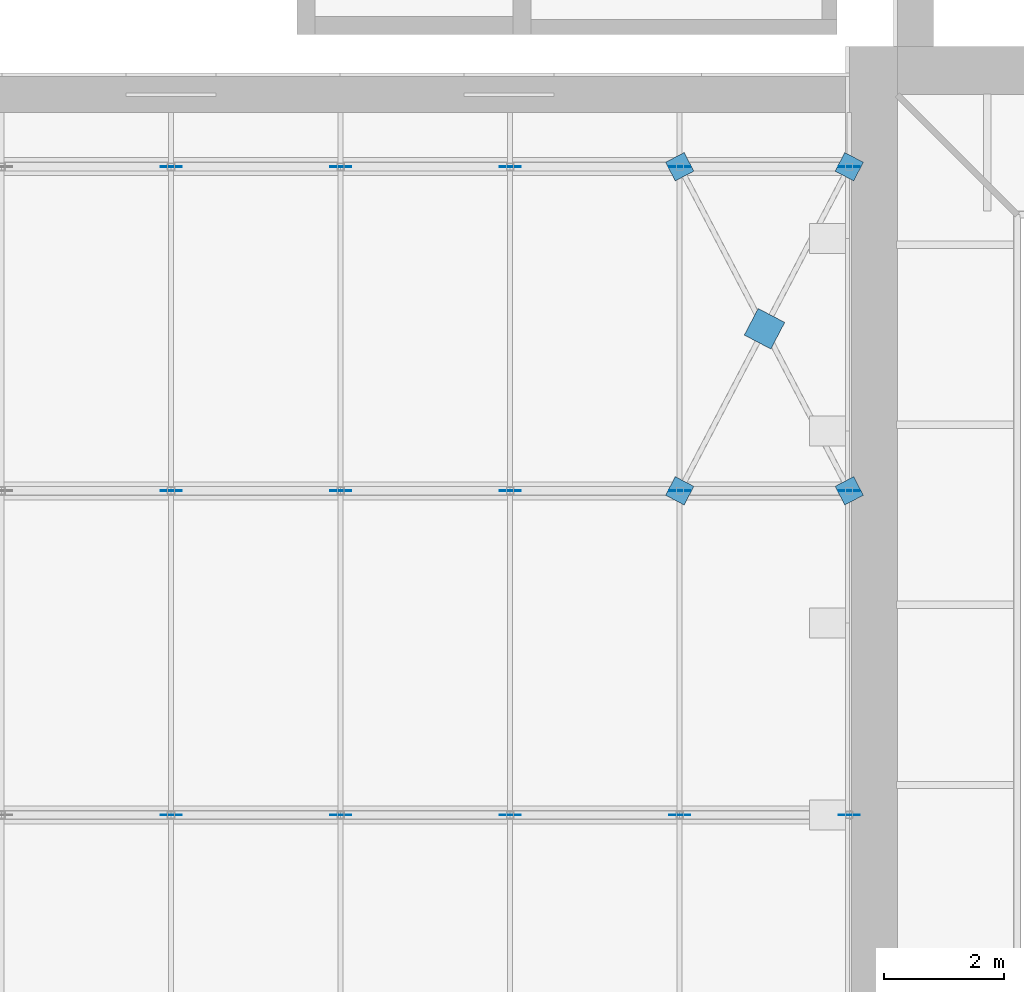
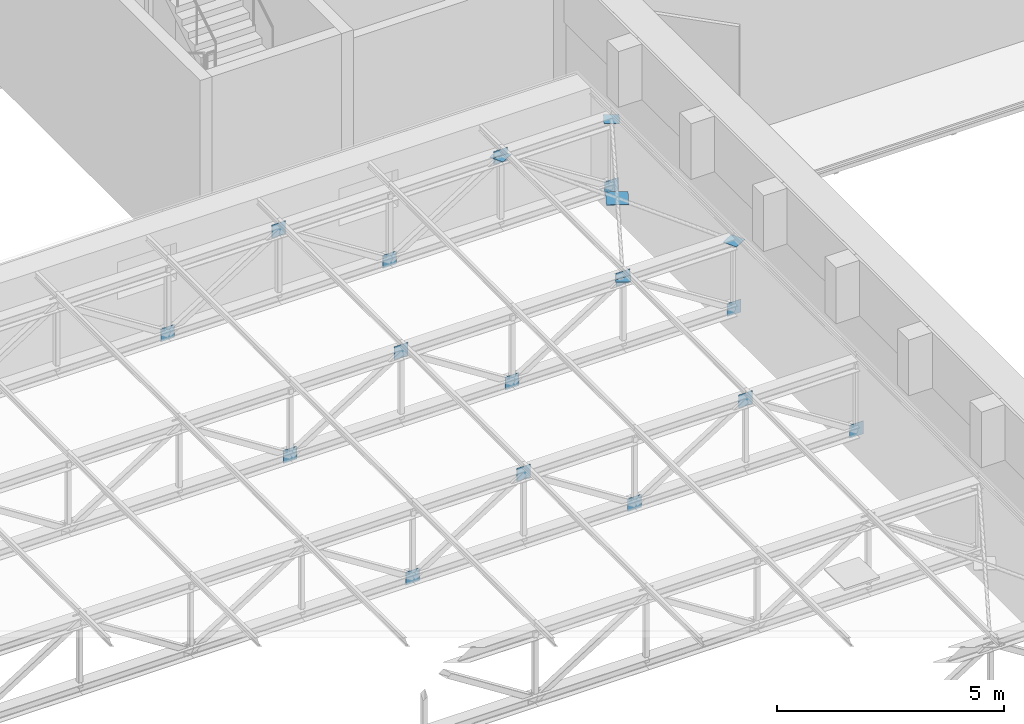
# One storey, part 96 of 132: 20 discrete accessories.
"""IFC4 building model written with IfcOpenShell, lengths in metres."""

from ifc_helpers import new_model, si_unit, direction, frame, origin, origin_2d, place, context, subcontext, project, spatial, rectangle, extrude, material, layer, layer_set, type_object, element, save


model = new_model("IFC4")

# Units and contexts
model_context = context("Model", 3, precision=1e-05, world=origin(), true_north=direction((0.0, 1.0)))
body_context = subcontext(model_context, "Body", "Model", "MODEL_VIEW")
ifc_project = project(units=[si_unit("LENGTHUNIT", "METRE"), si_unit("AREAUNIT", "SQUARE_METRE"), si_unit("VOLUMEUNIT", "CUBIC_METRE"), si_unit("PLANEANGLEUNIT", "RADIAN"), si_unit("MASSUNIT", "GRAM", prefix="KILO")], contexts=[model_context])

# Site, building, storey
site_placement = place(None, origin())
site = spatial("IfcSite", under=ifc_project, at=site_placement, CompositionType="ELEMENT")
building_placement = place(site_placement, origin())
building = spatial("IfcBuilding", under=site, at=building_placement, Name="Lunette Opera House", CompositionType="ELEMENT")
storey_placement = place(building_placement, frame((0.0, 0.0, 17.0)))
storey = spatial("IfcBuildingStorey", under=building, at=storey_placement, Name="L03", CompositionType="ELEMENT", Elevation=17.0)

# Discrete accessories
ifc_material_1 = material(Name="Steel S355", Category="steel")
ifc_layer_1 = layer(ifc_material_1, 0.011962890625)
ifc_layer_set_1 = layer_set([ifc_layer_1], Name="Steel S355")
discrete_accessory_type_1 = type_object("IfcDiscreteAccessoryType", Name="BRACE GUSSET PLATE 12", PredefinedType="USERDEFINED", material=ifc_layer_set_1)
for number, where, z_axis, x_axis, name in (
    (1, (71.89990234375, 108.0, 0.599853515625), (0.0, 0.0, 1.0), (1.0, 0.0, 0.0), "Gusset plate 68"),
    (2, (74.72509765625, 108.0, 2.39990234375), (0.0, 0.0, 1.0), (1.0, 0.0, 0.0), "Gusset plate 69"),
    (3, (77.550048828125, 108.0, 0.599853515625), (0.0, 0.0, 1.0), (1.0, 0.0, 0.0), "Gusset plate 70"),
    (4, (80.375, 108.0, 2.39990234375), (0.0, 0.0, 1.0), (1.0, 0.0, 0.0), "Gusset plate 71"),
    (5, (83.199951171875, 108.0, 0.599853515625), (0.0, 0.0, 1.0), (1.0, 0.0, 0.0), "Gusset plate 72"),
    (6, (71.89990234375, 113.39990234375, 0.599853515625), (0.0, 0.0, 1.0), (1.0, 0.0, 0.0), "Gusset plate 77"),
    (7, (74.72509765625, 113.39990234375, 2.39990234375), (0.0, 0.0, 1.0), (1.0, 0.0, 0.0), "Gusset plate 78"),
    (8, (77.550048828125, 113.39990234375, 0.599853515625), (0.0, 0.0, 1.0), (1.0, 0.0, 0.0), "Gusset plate 79"),
    (9, (80.375, 113.39990234375, 2.39990234375), (0.0, 0.0, 1.0), (1.0, 0.0, 0.0), "Gusset plate 80"),
    (10, (83.199951171875, 113.39990234375, 0.599853515625), (0.0, 0.0, 1.0), (1.0, 0.0, 0.0), "Gusset plate 81"),
    (11, (71.89990234375, 118.800048828125, 0.599853515625), (0.0, 0.0, 1.0), (1.0, 0.0, 0.0), "Gusset plate 86"),
    (12, (74.72509765625, 118.800048828125, 2.39990234375), (0.0, 0.0, 1.0), (1.0, 0.0, 0.0), "Gusset plate 87"),
    (13, (77.550048828125, 118.800048828125, 0.599853515625), (0.0, 0.0, 1.0), (1.0, 0.0, 0.0), "Gusset plate 88"),
    (14, (80.375, 118.800048828125, 2.39990234375), (0.0, 0.0, 1.0), (1.0, 0.0, 0.0), "Gusset plate 89"),
    (15, (83.199951171875, 118.800048828125, 0.599853515625), (0.0, 0.0, 1.0), (1.0, 0.0, 0.0), "Gusset plate 90"),
):
    element("IfcDiscreteAccessory", number, at=place(storey_placement, frame(where, z_axis=z_axis, x_axis=x_axis)), inside=storey, type_object=discrete_accessory_type_1, Name=name, ObjectType="GUSSET PLATE", PredefinedType="USERDEFINED", context=body_context, shape_type="SweptSolid", body=[
        extrude(rectangle(XDim=0.35009765625, YDim=0.011962890625, at=origin_2d()), origin(), (0.0, 0.0, 1.0), 0.35009765625),
    ])
for number, where, z_axis, x_axis, name in (
    (16, (80.375, 113.39990234375, 2.56884765625), (0.0, 0.0, 1.0), (0.463546584757, 0.886072549942, 0.0), "Gusset plate 97"),
    (17, (83.199951171875, 118.800048828125, 2.56884765625), (0.0, 0.0, 1.0), (0.463546584757, 0.886072549942, 0.0), "Gusset plate 98"),
    (18, (83.199951171875, 113.39990234375, 2.56884765625), (0.0, 0.0, 1.0), (-0.463418221361, 0.886139691082, 0.0), "Gusset plate 336"),
    (19, (80.375, 118.800048828125, 2.56884765625), (0.0, 0.0, 1.0), (-0.463676484795, 0.886004580941, 0.0), "Gusset plate 337"),
):
    element("IfcDiscreteAccessory", number, at=place(storey_placement, frame(where, z_axis=z_axis, x_axis=x_axis)), inside=storey, type_object=discrete_accessory_type_1, Name=name, ObjectType="GUSSET PLATE", PredefinedType="USERDEFINED", context=body_context, shape_type="SweptSolid", body=[
        extrude(rectangle(XDim=0.35009765625, YDim=0.35009765625, at=origin_2d()), origin(), (0.0, 0.0, 1.0), 0.011962890625),
    ])
ifc_material_2 = material(Name="Steel S355", Category="steel")
ifc_layer_2 = layer(ifc_material_2, 0.01611328125)
ifc_layer_set_2 = layer_set([ifc_layer_2], Name="Steel S355")
discrete_accessory_type_2 = type_object("IfcDiscreteAccessoryType", Name="X-BRACE NODE PLATE 16", PredefinedType="USERDEFINED", material=ifc_layer_set_2)
discrete_accessory_placement = place(storey_placement, frame((81.7880859375, 116.10009765625, 2.56689453125), z_axis=(0.0, 0.0, 1.0), x_axis=(0.463546584757, 0.886072549942, 0.0)))
element("IfcDiscreteAccessory", 20, at=discrete_accessory_placement, inside=storey, type_object=discrete_accessory_type_2, Name="X-brace node plate 4", ObjectType="NODE PLATE", PredefinedType="USERDEFINED", context=body_context, shape_type="SweptSolid", body=[
    extrude(rectangle(XDim=0.5, YDim=0.5, at=origin_2d()), origin(), (0.0, 0.0, 1.0), 0.01611328125),
])

save(model, "model.ifc")
